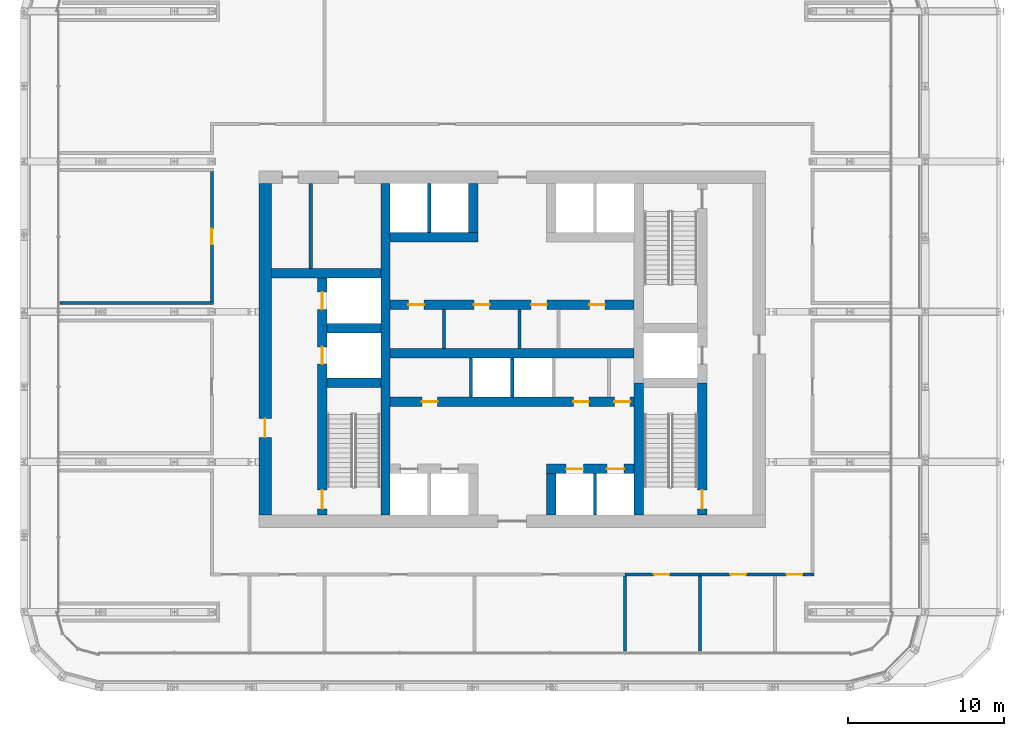
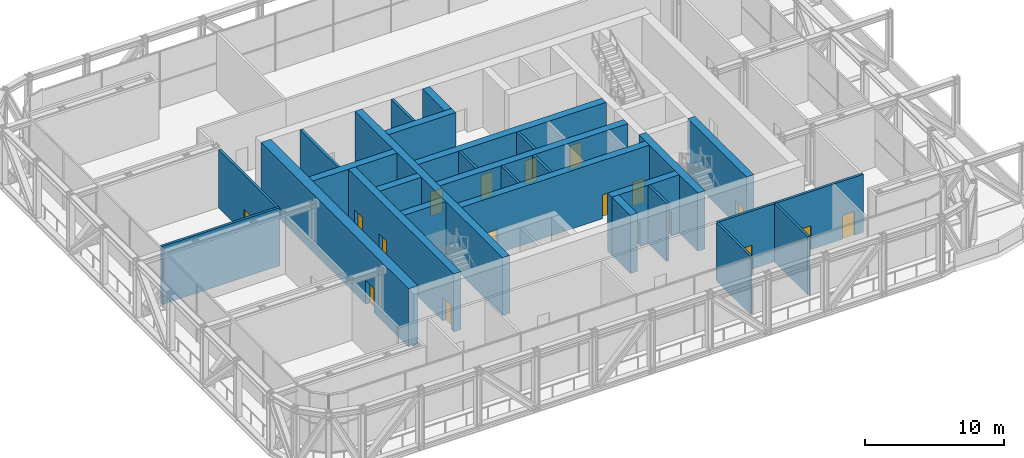
# One storey, part 17 of 25: 28 walls, 18 doors, 18 openings.
"""IFC4 building model written with IfcOpenShell, lengths in metres."""

import ifcopenshell
import ifcopenshell.guid

model = None  # the IFC model being written
_history = None  # IfcOwnerHistory: only IFC2X3 demands one
_inside = {}  # id of a spatial element -> (the spatial element, [elements in it])
_under = {}  # id of a project, library or spatial element -> (it, [spatial elements below it])
_declared = {}  # id of a project -> (the project, [libraries it declares])
_typed = {}  # id of a type object -> (the type object, [elements of that type])
_made_of = {}  # id of a material, layer set ... -> (it, [elements and type objects made of it])


def new_model(schema):
    """Start an empty IFC model of exactly this schema.

    Asked for "IFC4X3", IfcOpenShell would pick the latest addendum, in which some entities
    have other attributes; the version numbers below select the first issue.
    IFC2X3 requires an IfcOwnerHistory on every rooted entity: one is made here for all.
    """
    global model, _history
    if schema == "IFC4X3":
        model = ifcopenshell.file(schema_version=(4, 3, 0, 0))
    else:
        model = ifcopenshell.file(schema=schema)
    _inside.clear()
    _under.clear()
    _declared.clear()
    _typed.clear()
    _made_of.clear()
    _history = None
    if model.schema == "IFC2X3":
        org = make("IfcOrganization", Name="unknown")
        user = make(
            "IfcPersonAndOrganization",
            ThePerson=make("IfcPerson", FamilyName="unknown"),
            TheOrganization=org,
        )
        app = make(
            "IfcApplication",
            ApplicationDeveloper=org,
            Version="unknown",
            ApplicationFullName="unknown",
            ApplicationIdentifier="unknown",
        )
        _history = make(
            "IfcOwnerHistory",
            OwningUser=user,
            OwningApplication=app,
            ChangeAction="ADDED",
            CreationDate=0,
        )
    return model


def make(cls, **values):
    """One entity of the class cls with the attributes given. An attribute that is None is left unset."""
    return model.create_entity(
        cls, **{name: value for name, value in values.items() if value is not None}
    )


def rooted(cls, **values):
    """An entity with a GlobalId (a new one), such as an element, a storey or a relation."""
    return make(cls, GlobalId=ifcopenshell.guid.new(), OwnerHistory=_history, **values)


def si_unit(unit_type, name, prefix=None):
    """IfcSIUnit, for example si_unit("LENGTHUNIT", "METRE", prefix="MILLI")."""
    return make("IfcSIUnit", UnitType=unit_type, Prefix=prefix, Name=name)


def assignment(units):
    """IfcUnitAssignment: the units of a project."""
    return None if units is None else make("IfcUnitAssignment", Units=units)


def point(xyz):
    """IfcCartesianPoint."""
    return None if xyz is None else make("IfcCartesianPoint", Coordinates=xyz)


def direction(xyz):
    """IfcDirection."""
    return None if xyz is None else make("IfcDirection", DirectionRatios=xyz)


def frame(location, z_axis=None, x_axis=None):
    """IfcAxis2Placement3D, a coordinate frame: its origin and axes. An axis left out is left unset."""
    return make(
        "IfcAxis2Placement3D",
        Location=point(location),
        Axis=direction(z_axis),
        RefDirection=direction(x_axis),
    )


def frame_2d(location, x_axis=None):
    """IfcAxis2Placement2D, a coordinate frame in the plane: its origin and x axis."""
    return make(
        "IfcAxis2Placement2D", Location=point(location), RefDirection=direction(x_axis)
    )


def origin():
    """The frame at (0, 0, 0) with its axes left unset."""
    return frame((0.0, 0.0, 0.0))


def place(relative_to, where):
    """IfcLocalPlacement: puts the frame where relative to a parent placement (None: the world)."""
    return make(
        "IfcLocalPlacement", PlacementRelTo=relative_to, RelativePlacement=where
    )


def context(
    kind, dimensions, precision=None, world=None, true_north=None, identifier=None
):
    """IfcGeometricRepresentationContext, for example the 3D "Model" context."""
    return make(
        "IfcGeometricRepresentationContext",
        ContextIdentifier=identifier,
        ContextType=kind,
        CoordinateSpaceDimension=dimensions,
        Precision=precision,
        WorldCoordinateSystem=world,
        TrueNorth=true_north,
    )


def subcontext(parent, identifier, kind, view, scale=None):
    """IfcGeometricRepresentationSubContext, for example "Body" below "Model"."""
    return make(
        "IfcGeometricRepresentationSubContext",
        ContextIdentifier=identifier,
        ContextType=kind,
        ParentContext=parent,
        TargetScale=scale,
        TargetView=view,
    )


def project(units=None, contexts=None):
    """IfcProject with its units and contexts."""
    return rooted(
        "IfcProject",
        Name="project",
        RepresentationContexts=contexts,
        UnitsInContext=assignment(units),
    )


def spatial(cls, under=None, at=None, **own):
    """A site, building, storey or space (cls), placed at a placement, below another one or the project."""
    s = rooted(cls, ObjectPlacement=at, **own)
    if under is not None:
        _under.setdefault(under.id(), (under, []))[1].append(s)
    return s


def profile(cls, at=None, kind="AREA", **sizes):
    """A parametric profile (cls). Its sizes go by their IFC names, for example OverallWidth=200.0."""
    return make(cls, ProfileType=kind, Position=at, **sizes)


def rectangle(**sizes):
    """IfcRectangleProfileDef."""
    return profile("IfcRectangleProfileDef", **sizes)


def extrude(swept, where, along, depth):
    """IfcExtrudedAreaSolid: the profile swept, set in the frame where, extruded along a direction by depth."""
    return make(
        "IfcExtrudedAreaSolid",
        SweptArea=swept,
        Position=where,
        ExtrudedDirection=direction(along),
        Depth=depth,
    )


def shape(context_of_items, identifier, shape_type, items):
    """IfcShapeRepresentation: the items that make up one representation, for example the "Body"."""
    return make(
        "IfcShapeRepresentation",
        ContextOfItems=context_of_items,
        RepresentationIdentifier=identifier,
        RepresentationType=shape_type,
        Items=items,
    )


def material(Name=None, Category=None):
    """IfcMaterial."""
    return make("IfcMaterial", Name=Name, Category=Category)


def layer(
    of_material, thickness, ventilated=None, Name=None, Category=None, Priority=None
):
    """IfcMaterialLayer: one layer of a wall or slab, of a material (None: an air gap)."""
    return make(
        "IfcMaterialLayer",
        Material=of_material,
        LayerThickness=thickness,
        IsVentilated=ventilated,
        Name=Name,
        Category=Category,
        Priority=Priority,
    )


def layer_set(layers, Name=None):
    """IfcMaterialLayerSet."""
    return make("IfcMaterialLayerSet", MaterialLayers=layers, LayerSetName=Name)


def made_of(thing, what):
    """Note that an element or type object is made of a material, layer set ...; save() writes the relation."""
    if what is not None:
        _made_of.setdefault(what.id(), (what, []))[1].append(thing)
    return thing


def type_object(cls, material=None, **own):
    """A type object (cls), such as IfcWallType, which elements share."""
    return made_of(rooted(cls, **own), material)


def element(
    cls,
    number,
    at=None,
    inside=None,
    cuts=None,
    type_object=None,
    material=None,
    context=None,
    identifier="Body",
    shape_type=None,
    held_by="IfcProductDefinitionShape",
    body=None,
    shapes=None,
    **own,
):
    """One element of the class cls, such as IfcWall. Its Tag is "e" and its number.

    at: its placement. inside: the storey or other place that contains it. cuts: it is an
    opening in that element (IfcRelVoidsElement). A single representation is given by context,
    identifier, shape_type and body (its items); several are given by shapes. held_by: the class
    of the entity that holds the representations. save() writes the other relations.
    """
    e = rooted(cls, Tag="e%d" % number, ObjectPlacement=at, **own)
    if body is not None:
        shapes = [shape(context, identifier, shape_type, body)]
    if shapes is not None:
        e.Representation = make(held_by, Representations=shapes)
    if inside is not None:
        _inside.setdefault(inside.id(), (inside, []))[1].append(e)
    if cuts is not None:
        rooted(
            "IfcRelVoidsElement", RelatingBuildingElement=cuts, RelatedOpeningElement=e
        )
    if type_object is not None:
        _typed.setdefault(type_object.id(), (type_object, []))[1].append(e)
    return made_of(e, material)


def fill(opening, filler):
    """IfcRelFillsElement: the door or window that sits in an opening."""
    return rooted(
        "IfcRelFillsElement",
        RelatingOpeningElement=opening,
        RelatedBuildingElement=filler,
    )


def aggregate(whole, parts):
    """IfcRelAggregates: a whole, such as a stair, and the parts it consists of."""
    return rooted("IfcRelAggregates", RelatingObject=whole, RelatedObjects=parts)


def save(model, path):
    """Write the relations noted so far, then the file.

    IfcRelAggregates (storeys below a building ...), IfcRelContainedInSpatialStructure (elements
    in a storey), IfcRelDefinesByType, IfcRelAssociatesMaterial and IfcRelDeclares: one each for
    every whole, place, type object, material and project.
    """
    for whole, parts in _under.values():
        aggregate(whole, parts)
    for where, things in _inside.values():
        rooted(
            "IfcRelContainedInSpatialStructure",
            RelatedElements=things,
            RelatingStructure=where,
        )
    for kind, things in _typed.values():
        rooted("IfcRelDefinesByType", RelatedObjects=things, RelatingType=kind)
    for what, things in _made_of.values():
        rooted("IfcRelAssociatesMaterial", RelatedObjects=things, RelatingMaterial=what)
    for by, libraries in _declared.values():
        rooted("IfcRelDeclares", RelatingContext=by, RelatedDefinitions=libraries)
    model.write(path)


model = new_model("IFC4")

# Units and contexts
model_context = context("Model", 3, precision=1e-05, world=origin(), true_north=direction((0.0, 1.0)))
body_context = subcontext(model_context, "Body", "Model", "MODEL_VIEW")
ifc_project = project(units=[si_unit("LENGTHUNIT", "METRE"), si_unit("AREAUNIT", "SQUARE_METRE"), si_unit("VOLUMEUNIT", "CUBIC_METRE"), si_unit("PLANEANGLEUNIT", "RADIAN"), si_unit("MASSUNIT", "GRAM", prefix="KILO")], contexts=[model_context])

# Site, building, storey
site_placement = place(None, origin())
site = spatial("IfcSite", under=ifc_project, at=site_placement, CompositionType="ELEMENT")
building_placement = place(site_placement, origin())
building = spatial("IfcBuilding", under=site, at=building_placement, Name="Madar Terraces", CompositionType="ELEMENT")
storey_placement = place(building_placement, frame((0.0, 0.0, 113.699951171875)))
storey = spatial("IfcBuildingStorey", under=building, at=storey_placement, Name="L29", CompositionType="ELEMENT", Elevation=113.699951171875)

# Wall, openings, doors
ifc_material_1 = material(Name="Concrete C70/85", Category="concrete")
ifc_layer_1 = layer(ifc_material_1, 0.60009765625)
ifc_layer_set_1 = layer_set([ifc_layer_1], Name="Concrete C70/85 (CIW3 RC wall 600)")
wall_type_1 = type_object("IfcWallType", Name="CIW3 RC wall 600", PredefinedType="SHEAR", material=ifc_layer_set_1)
wall_1_placement = place(storey_placement, frame((19.050048828125, 15.800048828125, 0.0), z_axis=(0.0, 0.0, 1.0), x_axis=(0.0, 1.0, 0.0)))
wall_1 = element("IfcWall", 1, at=wall_1_placement, inside=storey, type_object=wall_type_1, Name="CORE SHAFT WALL", PredefinedType="SHEAR", context=body_context, shape_type="SweptSolid", body=[
    extrude(rectangle(XDim=15.14990234375, YDim=0.60009765625, at=frame_2d((7.574951171875, 0.0))), origin(), (0.0, 0.0, 1.0), 5.10009765625),
])
opening_1_placement = place(wall_1_placement, frame((9.64990234375, 0.0, 0.0)))
opening_1 = element("IfcOpeningElement", 2, at=opening_1_placement, cuts=wall_1, Name="Opening LD", PredefinedType="OPENING", context=body_context, shape_type="SweptSolid", body=[
    extrude(rectangle(XDim=1.10009765625, YDim=2.10009765625, at=frame_2d((0.550048828125, 1.050048828125))), frame((0.0, 0.31005859375, 0.0), z_axis=(0.0, -1.0, 0.0), x_axis=(1.0, 0.0, 0.0)), (0.0, 0.0, 1.0), 0.6201171875),
])
opening_2_placement = place(wall_1_placement, frame((13.14990234375, 0.0, 0.0)))
opening_2 = element("IfcOpeningElement", 3, at=opening_2_placement, cuts=wall_1, Name="Opening LD", PredefinedType="OPENING", context=body_context, shape_type="SweptSolid", body=[
    extrude(rectangle(XDim=1.10009765625, YDim=2.10009765625, at=frame_2d((0.550048828125, 1.050048828125))), frame((0.0, 0.31005859375, 0.0), z_axis=(0.0, -1.0, 0.0), x_axis=(1.0, 0.0, 0.0)), (0.0, 0.0, 1.0), 0.6201171875),
])
opening_3_placement = place(wall_1_placement, frame((0.39990234375, 0.0, 0.0)))
opening_3 = element("IfcOpeningElement", 4, at=opening_3_placement, cuts=wall_1, Name="Opening SD1", PredefinedType="OPENING", context=body_context, shape_type="SweptSolid", body=[
    extrude(rectangle(XDim=1.199951171875, YDim=2.10009765625, at=frame_2d((0.60009765625, 1.050048828125))), frame((0.0, 0.31005859375, 0.0), z_axis=(0.0, -1.0, 0.0), x_axis=(1.0, 0.0, 0.0)), (0.0, 0.0, 1.0), 0.6201171875),
])
ifc_material_2 = material(Name="Stainless steel panel", Category="steel")
door_type_1 = type_object("IfcDoorType", Name="Lift landing door 1100 x 2100", OperationType="DOUBLE_DOOR_SLIDING", PredefinedType="DOOR", material=ifc_material_2)
door_1_placement = place(opening_1_placement, origin())
door_1 = element("IfcDoor", 5, at=door_1_placement, inside=storey, type_object=door_type_1, Name="LIFT LANDING DOOR", OperationType="DOUBLE_DOOR_SLIDING", OverallHeight=2.10009765625, OverallWidth=1.10009765625, PredefinedType="DOOR", context=body_context, shape_type="SweptSolid", body=[
    extrude(rectangle(XDim=1.10009765625, YDim=2.10009765625, at=frame_2d((0.550048828125, 1.050048828125))), frame((0.0, 0.02490234375, 0.0), z_axis=(0.0, -1.0, 0.0), x_axis=(1.0, 0.0, 0.0)), (0.0, 0.0, 1.0), 0.050048828125),
])
fill(opening_1, door_1)
door_2_placement = place(opening_2_placement, origin())
door_2 = element("IfcDoor", 6, at=door_2_placement, inside=storey, type_object=door_type_1, Name="LIFT LANDING DOOR", OperationType="DOUBLE_DOOR_SLIDING", OverallHeight=2.10009765625, OverallWidth=1.10009765625, PredefinedType="DOOR", context=body_context, shape_type="SweptSolid", body=[
    extrude(rectangle(XDim=1.10009765625, YDim=2.10009765625, at=frame_2d((0.550048828125, 1.050048828125))), frame((0.0, 0.02490234375, 0.0), z_axis=(0.0, -1.0, 0.0), x_axis=(1.0, 0.0, 0.0)), (0.0, 0.0, 1.0), 0.050048828125),
])
fill(opening_2, door_2)
ifc_material_3 = material(Name="Steel door leaf", Category="steel")
door_type_2 = type_object("IfcDoorType", Name="Stair door 1200 x 2100", OperationType="NOTDEFINED", PredefinedType="DOOR", material=ifc_material_3)
door_3_placement = place(opening_3_placement, frame((1.199951171875, 0.0, 0.0), z_axis=(0.0, 0.0, 1.0), x_axis=(-1.0, 0.0, 0.0)))
door_3 = element("IfcDoor", 7, at=door_3_placement, inside=storey, type_object=door_type_2, Name="STAIR DOOR", OperationType="SINGLE_SWING_LEFT", OverallHeight=2.10009765625, OverallWidth=1.199951171875, PredefinedType="DOOR", context=body_context, shape_type="SweptSolid", body=[
    extrude(rectangle(XDim=1.199951171875, YDim=2.10009765625, at=frame_2d((0.60009765625, 1.050048828125))), frame((0.0, 0.02490234375, 0.0), z_axis=(0.0, -1.0, 0.0), x_axis=(1.0, 0.0, 0.0)), (0.0, 0.0, 1.0), 0.050048828125),
])
fill(opening_3, door_3)

# Walls
wall_2_placement = place(storey_placement, frame((23.10009765625, 15.800048828125, 0.0), z_axis=(0.0, 0.0, 1.0), x_axis=(0.0, 1.0, 0.0)))
element("IfcWall", 8, at=wall_2_placement, inside=storey, type_object=wall_type_1, Name="CORE SHAFT WALL", PredefinedType="SHEAR", context=body_context, shape_type="SweptSolid", body=[
    extrude(rectangle(XDim=21.199951171875, YDim=0.60009765625, at=frame_2d((10.60009765625, 0.0))), origin(), (0.0, 0.0, 1.0), 5.10009765625),
])
wall_3_placement = place(storey_placement, frame((39.300048828125, 15.800048828125, 0.0), z_axis=(0.0, 0.0, 1.0), x_axis=(0.0, 1.0, 0.0)))
element("IfcWall", 9, at=wall_3_placement, inside=storey, type_object=wall_type_1, Name="CORE SHAFT WALL", PredefinedType="SHEAR", context=body_context, shape_type="SweptSolid", body=[
    extrude(rectangle(XDim=8.449951171875, YDim=0.60009765625, at=frame_2d((4.22509765625, 0.0))), origin(), (0.0, 0.0, 1.0), 5.10009765625),
])

# Wall, opening, door
wall_4_placement = place(storey_placement, frame((43.35009765625, 15.800048828125, 0.0), z_axis=(0.0, 0.0, 1.0), x_axis=(0.0, 1.0, 0.0)))
wall_4 = element("IfcWall", 10, at=wall_4_placement, inside=storey, type_object=wall_type_1, Name="CORE SHAFT WALL", PredefinedType="SHEAR", context=body_context, shape_type="SweptSolid", body=[
    extrude(rectangle(XDim=8.449951171875, YDim=0.60009765625, at=frame_2d((4.22509765625, 0.0))), origin(), (0.0, 0.0, 1.0), 5.10009765625),
])
opening_4_placement = place(wall_4_placement, frame((0.39990234375, 0.0, 0.0)))
opening_4 = element("IfcOpeningElement", 11, at=opening_4_placement, cuts=wall_4, Name="Opening SD1", PredefinedType="OPENING", context=body_context, shape_type="SweptSolid", body=[
    extrude(rectangle(XDim=1.199951171875, YDim=2.10009765625, at=frame_2d((0.60009765625, 1.050048828125))), frame((0.0, 0.31005859375, 0.0), z_axis=(0.0, -1.0, 0.0), x_axis=(1.0, 0.0, 0.0)), (0.0, 0.0, 1.0), 0.6201171875),
])
door_4_placement = place(opening_4_placement, origin())
door_4 = element("IfcDoor", 12, at=door_4_placement, inside=storey, type_object=door_type_2, Name="STAIR DOOR", OperationType="SINGLE_SWING_RIGHT", OverallHeight=2.10009765625, OverallWidth=1.199951171875, PredefinedType="DOOR", context=body_context, shape_type="SweptSolid", body=[
    extrude(rectangle(XDim=1.199951171875, YDim=2.10009765625, at=frame_2d((0.60009765625, 1.050048828125))), frame((0.0, 0.02490234375, 0.0), z_axis=(0.0, -1.0, 0.0), x_axis=(1.0, 0.0, 0.0)), (0.0, 0.0, 1.0), 0.050048828125),
])
fill(opening_4, door_4)

# Walls
for number, where, z_axis, x_axis, name in (
    (13, (19.35009765625, 24.25, 0.0), (0.0, 0.0, 1.0), (1.0, 0.0, 0.0), "CORE SHAFT WALL"),
    (14, (19.35009765625, 27.75, 0.0), (0.0, 0.0, 1.0), (1.0, 0.0, 0.0), "CORE SHAFT WALL"),
):
    element("IfcWall", number, at=place(storey_placement, frame(where, z_axis=z_axis, x_axis=x_axis)), inside=storey, type_object=wall_type_1, Name=name, PredefinedType="SHEAR", context=body_context, shape_type="SweptSolid", body=[
        extrude(rectangle(XDim=3.449951171875, YDim=0.60009765625, at=frame_2d((1.72509765625, 0.0))), origin(), (0.0, 0.0, 1.0), 5.10009765625),
    ])
wall_5_placement = place(storey_placement, frame((15.800048828125, 31.25, 0.0), z_axis=(0.0, 0.0, 1.0), x_axis=(1.0, 0.0, 0.0)))
element("IfcWall", 15, at=wall_5_placement, inside=storey, type_object=wall_type_1, Name="CORE SHAFT WALL", PredefinedType="SHEAR", context=body_context, shape_type="SweptSolid", body=[
    extrude(rectangle(XDim=7.0, YDim=0.60009765625, at=frame_2d((3.5, 0.0))), origin(), (0.0, 0.0, 1.0), 5.10009765625),
])

# Wall, openings, doors
wall_6_placement = place(storey_placement, frame((33.39990234375, 18.75, 0.0), z_axis=(0.0, 0.0, 1.0), x_axis=(1.0, 0.0, 0.0)))
wall_6 = element("IfcWall", 16, at=wall_6_placement, inside=storey, type_object=wall_type_1, Name="CORE SHAFT WALL", PredefinedType="SHEAR", context=body_context, shape_type="SweptSolid", body=[
    extrude(rectangle(XDim=5.60009765625, YDim=0.60009765625, at=frame_2d((2.800048828125, 0.0))), origin(), (0.0, 0.0, 1.0), 5.10009765625),
])
opening_5_placement = place(wall_6_placement, frame((1.25, 0.0, 0.0)))
opening_5 = element("IfcOpeningElement", 17, at=opening_5_placement, cuts=wall_6, Name="Opening LD", PredefinedType="OPENING", context=body_context, shape_type="SweptSolid", body=[
    extrude(rectangle(XDim=1.10009765625, YDim=2.10009765625, at=frame_2d((0.550048828125, 1.050048828125))), frame((0.0, 0.31005859375, 0.0), z_axis=(0.0, -1.0, 0.0), x_axis=(1.0, 0.0, 0.0)), (0.0, 0.0, 1.0), 0.6201171875),
])
opening_6_placement = place(wall_6_placement, frame((3.85009765625, 0.0, 0.0)))
opening_6 = element("IfcOpeningElement", 18, at=opening_6_placement, cuts=wall_6, Name="Opening LD", PredefinedType="OPENING", context=body_context, shape_type="SweptSolid", body=[
    extrude(rectangle(XDim=1.10009765625, YDim=2.10009765625, at=frame_2d((0.550048828125, 1.050048828125))), frame((0.0, 0.31005859375, 0.0), z_axis=(0.0, -1.0, 0.0), x_axis=(1.0, 0.0, 0.0)), (0.0, 0.0, 1.0), 0.6201171875),
])
door_5_placement = place(opening_5_placement, origin())
door_5 = element("IfcDoor", 19, at=door_5_placement, inside=storey, type_object=door_type_1, Name="LIFT LANDING DOOR", OperationType="DOUBLE_DOOR_SLIDING", OverallHeight=2.10009765625, OverallWidth=1.10009765625, PredefinedType="DOOR", context=body_context, shape_type="SweptSolid", body=[
    extrude(rectangle(XDim=1.10009765625, YDim=2.10009765625, at=frame_2d((0.550048828125, 1.050048828125))), frame((0.0, 0.02490234375, 0.0), z_axis=(0.0, -1.0, 0.0), x_axis=(1.0, 0.0, 0.0)), (0.0, 0.0, 1.0), 0.050048828125),
])
fill(opening_5, door_5)
door_6_placement = place(opening_6_placement, origin())
door_6 = element("IfcDoor", 20, at=door_6_placement, inside=storey, type_object=door_type_1, Name="LIFT LANDING DOOR", OperationType="DOUBLE_DOOR_SLIDING", OverallHeight=2.10009765625, OverallWidth=1.10009765625, PredefinedType="DOOR", context=body_context, shape_type="SweptSolid", body=[
    extrude(rectangle(XDim=1.10009765625, YDim=2.10009765625, at=frame_2d((0.550048828125, 1.050048828125))), frame((0.0, 0.02490234375, 0.0), z_axis=(0.0, -1.0, 0.0), x_axis=(1.0, 0.0, 0.0)), (0.0, 0.0, 1.0), 0.050048828125),
])
fill(opening_6, door_6)

wall_7_placement = place(storey_placement, frame((23.39990234375, 23.050048828125, 0.0), z_axis=(0.0, 0.0, 1.0), x_axis=(1.0, 0.0, 0.0)))
wall_7 = element("IfcWall", 21, at=wall_7_placement, inside=storey, type_object=wall_type_1, Name="CORE SHAFT WALL", PredefinedType="SHEAR", context=body_context, shape_type="SweptSolid", body=[
    extrude(rectangle(XDim=15.60009765625, YDim=0.60009765625, at=frame_2d((7.800048828125, 0.0))), origin(), (0.0, 0.0, 1.0), 5.10009765625),
])
opening_7_placement = place(wall_7_placement, frame((2.033447265625, 0.0, 0.0)))
opening_7 = element("IfcOpeningElement", 22, at=opening_7_placement, cuts=wall_7, Name="Opening KD2", PredefinedType="OPENING", context=body_context, shape_type="SweptSolid", body=[
    extrude(rectangle(XDim=1.0, YDim=2.10009765625, at=frame_2d((0.5, 1.050048828125))), frame((0.0, 0.31005859375, 0.0), z_axis=(0.0, -1.0, 0.0), x_axis=(1.0, 0.0, 0.0)), (0.0, 0.0, 1.0), 0.6201171875),
])
opening_8_placement = place(wall_7_placement, frame((11.7060546875, 0.0, 0.0)))
opening_8 = element("IfcOpeningElement", 23, at=opening_8_placement, cuts=wall_7, Name="Opening KD2", PredefinedType="OPENING", context=body_context, shape_type="SweptSolid", body=[
    extrude(rectangle(XDim=1.0, YDim=2.10009765625, at=frame_2d((0.5, 1.050048828125))), frame((0.0, 0.31005859375, 0.0), z_axis=(0.0, -1.0, 0.0), x_axis=(1.0, 0.0, 0.0)), (0.0, 0.0, 1.0), 0.6201171875),
])
opening_9_placement = place(wall_7_placement, frame((14.33935546875, 0.0, 0.0)))
opening_9 = element("IfcOpeningElement", 24, at=opening_9_placement, cuts=wall_7, Name="Opening KD2", PredefinedType="OPENING", context=body_context, shape_type="SweptSolid", body=[
    extrude(rectangle(XDim=1.0, YDim=2.10009765625, at=frame_2d((0.5, 1.050048828125))), frame((0.0, 0.31005859375, 0.0), z_axis=(0.0, -1.0, 0.0), x_axis=(1.0, 0.0, 0.0)), (0.0, 0.0, 1.0), 0.6201171875),
])
ifc_material_4 = material(Name="Steel door leaf", Category="steel")
door_type_3 = type_object("IfcDoorType", Name="Service room door 1000 x 2100", OperationType="NOTDEFINED", PredefinedType="DOOR", material=ifc_material_4)
door_7_placement = place(opening_7_placement, frame((1.0, 0.0, 0.0), z_axis=(0.0, 0.0, 1.0), x_axis=(-1.0, 0.0, 0.0)))
door_7 = element("IfcDoor", 25, at=door_7_placement, inside=storey, type_object=door_type_3, Name="SERVICE ROOM DOOR", OperationType="SINGLE_SWING_RIGHT", OverallHeight=2.10009765625, OverallWidth=1.0, PredefinedType="DOOR", context=body_context, shape_type="SweptSolid", body=[
    extrude(rectangle(XDim=1.0, YDim=2.10009765625, at=frame_2d((0.5, 1.050048828125))), frame((0.0, 0.02490234375, 0.0), z_axis=(0.0, -1.0, 0.0), x_axis=(1.0, 0.0, 0.0)), (0.0, 0.0, 1.0), 0.050048828125),
])
fill(opening_7, door_7)
door_8_placement = place(opening_8_placement, frame((1.0, 0.0, 0.0), z_axis=(0.0, 0.0, 1.0), x_axis=(-1.0, 0.0, 0.0)))
door_8 = element("IfcDoor", 26, at=door_8_placement, inside=storey, type_object=door_type_3, Name="SERVICE ROOM DOOR", OperationType="SINGLE_SWING_LEFT", OverallHeight=2.10009765625, OverallWidth=1.0, PredefinedType="DOOR", context=body_context, shape_type="SweptSolid", body=[
    extrude(rectangle(XDim=1.0, YDim=2.10009765625, at=frame_2d((0.5, 1.050048828125))), frame((0.0, 0.02490234375, 0.0), z_axis=(0.0, -1.0, 0.0), x_axis=(1.0, 0.0, 0.0)), (0.0, 0.0, 1.0), 0.050048828125),
])
fill(opening_8, door_8)
door_9_placement = place(opening_9_placement, frame((1.0, 0.0, 0.0), z_axis=(0.0, 0.0, 1.0), x_axis=(-1.0, 0.0, 0.0)))
door_9 = element("IfcDoor", 27, at=door_9_placement, inside=storey, type_object=door_type_3, Name="SERVICE ROOM DOOR", OperationType="SINGLE_SWING_RIGHT", OverallHeight=2.10009765625, OverallWidth=1.0, PredefinedType="DOOR", context=body_context, shape_type="SweptSolid", body=[
    extrude(rectangle(XDim=1.0, YDim=2.10009765625, at=frame_2d((0.5, 1.050048828125))), frame((0.0, 0.02490234375, 0.0), z_axis=(0.0, -1.0, 0.0), x_axis=(1.0, 0.0, 0.0)), (0.0, 0.0, 1.0), 0.050048828125),
])
fill(opening_9, door_9)

# Wall
wall_8_placement = place(storey_placement, frame((23.39990234375, 26.14990234375, 0.0), z_axis=(0.0, 0.0, 1.0), x_axis=(1.0, 0.0, 0.0)))
element("IfcWall", 28, at=wall_8_placement, inside=storey, type_object=wall_type_1, Name="CORE SHAFT WALL", PredefinedType="SHEAR", context=body_context, shape_type="SweptSolid", body=[
    extrude(rectangle(XDim=15.60009765625, YDim=0.60009765625, at=frame_2d((7.800048828125, 0.0))), origin(), (0.0, 0.0, 1.0), 5.10009765625),
])

# Wall, openings, doors
wall_9_placement = place(storey_placement, frame((23.39990234375, 29.25, 0.0), z_axis=(0.0, 0.0, 1.0), x_axis=(1.0, 0.0, 0.0)))
wall_9 = element("IfcWall", 29, at=wall_9_placement, inside=storey, type_object=wall_type_1, Name="CORE SHAFT WALL", PredefinedType="SHEAR", context=body_context, shape_type="SweptSolid", body=[
    extrude(rectangle(XDim=15.60009765625, YDim=0.60009765625, at=frame_2d((7.800048828125, 0.0))), origin(), (0.0, 0.0, 1.0), 5.10009765625),
])
opening_10_placement = place(wall_9_placement, frame((1.166015625, 0.0, 0.0)))
opening_10 = element("IfcOpeningElement", 30, at=opening_10_placement, cuts=wall_9, Name="Opening KD2", PredefinedType="OPENING", context=body_context, shape_type="SweptSolid", body=[
    extrude(rectangle(XDim=1.0, YDim=2.10009765625, at=frame_2d((0.5, 1.050048828125))), frame((0.0, 0.31005859375, 0.0), z_axis=(0.0, -1.0, 0.0), x_axis=(1.0, 0.0, 0.0)), (0.0, 0.0, 1.0), 0.6201171875),
])
opening_11_placement = place(wall_9_placement, frame((5.35009765625, 0.0, 0.0)))
opening_11 = element("IfcOpeningElement", 31, at=opening_11_placement, cuts=wall_9, Name="Opening KD2", PredefinedType="OPENING", context=body_context, shape_type="SweptSolid", body=[
    extrude(rectangle(XDim=1.0, YDim=2.10009765625, at=frame_2d((0.5, 1.050048828125))), frame((0.0, 0.31005859375, 0.0), z_axis=(0.0, -1.0, 0.0), x_axis=(1.0, 0.0, 0.0)), (0.0, 0.0, 1.0), 0.6201171875),
])
opening_12_placement = place(wall_9_placement, frame((9.01611328125, 0.0, 0.0)))
opening_12 = element("IfcOpeningElement", 32, at=opening_12_placement, cuts=wall_9, Name="Opening KD2", PredefinedType="OPENING", context=body_context, shape_type="SweptSolid", body=[
    extrude(rectangle(XDim=1.0, YDim=2.10009765625, at=frame_2d((0.5, 1.050048828125))), frame((0.0, 0.31005859375, 0.0), z_axis=(0.0, -1.0, 0.0), x_axis=(1.0, 0.0, 0.0)), (0.0, 0.0, 1.0), 0.6201171875),
])
opening_13_placement = place(wall_9_placement, frame((12.73193359375, 0.0, 0.0)))
opening_13 = element("IfcOpeningElement", 33, at=opening_13_placement, cuts=wall_9, Name="Opening KD2", PredefinedType="OPENING", context=body_context, shape_type="SweptSolid", body=[
    extrude(rectangle(XDim=1.0, YDim=2.10009765625, at=frame_2d((0.5, 1.050048828125))), frame((0.0, 0.31005859375, 0.0), z_axis=(0.0, -1.0, 0.0), x_axis=(1.0, 0.0, 0.0)), (0.0, 0.0, 1.0), 0.6201171875),
])
door_10_placement = place(opening_10_placement, origin())
door_10 = element("IfcDoor", 34, at=door_10_placement, inside=storey, type_object=door_type_3, Name="SERVICE ROOM DOOR", OperationType="SINGLE_SWING_LEFT", OverallHeight=2.10009765625, OverallWidth=1.0, PredefinedType="DOOR", context=body_context, shape_type="SweptSolid", body=[
    extrude(rectangle(XDim=1.0, YDim=2.10009765625, at=frame_2d((0.5, 1.050048828125))), frame((0.0, 0.02490234375, 0.0), z_axis=(0.0, -1.0, 0.0), x_axis=(1.0, 0.0, 0.0)), (0.0, 0.0, 1.0), 0.050048828125),
])
fill(opening_10, door_10)
door_11_placement = place(opening_11_placement, origin())
door_11 = element("IfcDoor", 35, at=door_11_placement, inside=storey, type_object=door_type_3, Name="SERVICE ROOM DOOR", OperationType="SINGLE_SWING_RIGHT", OverallHeight=2.10009765625, OverallWidth=1.0, PredefinedType="DOOR", context=body_context, shape_type="SweptSolid", body=[
    extrude(rectangle(XDim=1.0, YDim=2.10009765625, at=frame_2d((0.5, 1.050048828125))), frame((0.0, 0.02490234375, 0.0), z_axis=(0.0, -1.0, 0.0), x_axis=(1.0, 0.0, 0.0)), (0.0, 0.0, 1.0), 0.050048828125),
])
fill(opening_11, door_11)
door_12_placement = place(opening_12_placement, origin())
door_12 = element("IfcDoor", 36, at=door_12_placement, inside=storey, type_object=door_type_3, Name="SERVICE ROOM DOOR", OperationType="SINGLE_SWING_LEFT", OverallHeight=2.10009765625, OverallWidth=1.0, PredefinedType="DOOR", context=body_context, shape_type="SweptSolid", body=[
    extrude(rectangle(XDim=1.0, YDim=2.10009765625, at=frame_2d((0.5, 1.050048828125))), frame((0.0, 0.02490234375, 0.0), z_axis=(0.0, -1.0, 0.0), x_axis=(1.0, 0.0, 0.0)), (0.0, 0.0, 1.0), 0.050048828125),
])
fill(opening_12, door_12)
door_13_placement = place(opening_13_placement, origin())
door_13 = element("IfcDoor", 37, at=door_13_placement, inside=storey, type_object=door_type_3, Name="SERVICE ROOM DOOR", OperationType="SINGLE_SWING_RIGHT", OverallHeight=2.10009765625, OverallWidth=1.0, PredefinedType="DOOR", context=body_context, shape_type="SweptSolid", body=[
    extrude(rectangle(XDim=1.0, YDim=2.10009765625, at=frame_2d((0.5, 1.050048828125))), frame((0.0, 0.02490234375, 0.0), z_axis=(0.0, -1.0, 0.0), x_axis=(1.0, 0.0, 0.0)), (0.0, 0.0, 1.0), 0.050048828125),
])
fill(opening_13, door_13)

# Walls
wall_10_placement = place(storey_placement, frame((23.39990234375, 33.550048828125, 0.0), z_axis=(0.0, 0.0, 1.0), x_axis=(1.0, 0.0, 0.0)))
element("IfcWall", 38, at=wall_10_placement, inside=storey, type_object=wall_type_1, Name="CORE SHAFT WALL", PredefinedType="SHEAR", context=body_context, shape_type="SweptSolid", body=[
    extrude(rectangle(XDim=5.60009765625, YDim=0.60009765625, at=frame_2d((2.800048828125, 0.0))), origin(), (0.0, 0.0, 1.0), 5.10009765625),
])
wall_11_placement = place(storey_placement, frame((33.699951171875, 15.800048828125, 0.0), z_axis=(0.0, 0.0, 1.0), x_axis=(0.0, 1.0, 0.0)))
element("IfcWall", 39, at=wall_11_placement, inside=storey, type_object=wall_type_1, Name="CORE SHAFT WALL", PredefinedType="SHEAR", context=body_context, shape_type="SweptSolid", body=[
    extrude(rectangle(XDim=2.64990234375, YDim=0.60009765625, at=frame_2d((1.324951171875, 0.0))), origin(), (0.0, 0.0, 1.0), 5.10009765625),
])
wall_12_placement = place(storey_placement, frame((28.699951171875, 33.85009765625, 0.0), z_axis=(0.0, 0.0, 1.0), x_axis=(0.0, 1.0, 0.0)))
element("IfcWall", 40, at=wall_12_placement, inside=storey, type_object=wall_type_1, Name="CORE SHAFT WALL", PredefinedType="SHEAR", context=body_context, shape_type="SweptSolid", body=[
    extrude(rectangle(XDim=3.14990234375, YDim=0.60009765625, at=frame_2d((1.574951171875, 0.0))), origin(), (0.0, 0.0, 1.0), 5.10009765625),
])

# Wall, opening, door
ifc_material_5 = material(Name="Concrete C70/85", Category="concrete")
ifc_layer_2 = layer(ifc_material_5, 0.800048828125)
ifc_layer_set_2 = layer_set([ifc_layer_2], Name="Concrete C70/85 (CRW3 RC wall 800)")
wall_type_2 = type_object("IfcWallType", Name="CRW3 RC wall 800", PredefinedType="SHEAR", material=ifc_layer_set_2)
wall_13_placement = place(storey_placement, frame((15.39990234375, 15.800048828125, 0.0), z_axis=(0.0, 0.0, 1.0), x_axis=(0.0, 1.0, 0.0)))
wall_13 = element("IfcWall", 41, at=wall_13_placement, inside=storey, type_object=wall_type_2, Name="CORE OUTER WALL", PredefinedType="SHEAR", context=body_context, shape_type="SweptSolid", body=[
    extrude(rectangle(XDim=21.199951171875, YDim=0.800048828125, at=frame_2d((10.60009765625, 0.0))), origin(), (0.0, 0.0, 1.0), 5.10009765625),
])
opening_14_placement = place(wall_13_placement, frame((4.9599609375, 0.0, 0.0)))
opening_14 = element("IfcOpeningElement", 42, at=opening_14_placement, cuts=wall_13, Name="Opening SD1", PredefinedType="OPENING", context=body_context, shape_type="SweptSolid", body=[
    extrude(rectangle(XDim=1.199951171875, YDim=2.10009765625, at=frame_2d((0.60009765625, 1.050048828125))), frame((0.0, 0.409912109375, 0.0), z_axis=(0.0, -1.0, 0.0), x_axis=(1.0, 0.0, 0.0)), (0.0, 0.0, 1.0), 0.820068359375),
])
door_14_placement = place(opening_14_placement, frame((1.199951171875, 0.0, 0.0), z_axis=(0.0, 0.0, 1.0), x_axis=(-1.0, 0.0, 0.0)))
door_14 = element("IfcDoor", 43, at=door_14_placement, inside=storey, type_object=door_type_2, Name="STAIR DOOR", OperationType="SINGLE_SWING_RIGHT", OverallHeight=2.10009765625, OverallWidth=1.199951171875, PredefinedType="DOOR", context=body_context, shape_type="SweptSolid", body=[
    extrude(rectangle(XDim=1.199951171875, YDim=2.10009765625, at=frame_2d((0.60009765625, 1.050048828125))), frame((0.0, 0.02490234375, 0.0), z_axis=(0.0, -1.0, 0.0), x_axis=(1.0, 0.0, 0.0)), (0.0, 0.0, 1.0), 0.050048828125),
])
fill(opening_14, door_14)

# Walls
ifc_material_6 = material(Name="Masonry blockwork", Category="masonry")
ifc_layer_3 = layer(ifc_material_6, 0.199951171875)
ifc_layer_set_3 = layer_set([ifc_layer_3], Name="Core partition 200 blockwork")
wall_type_3 = type_object("IfcWallType", Name="Core partition 200 blockwork", PredefinedType="PARTITIONING", material=ifc_layer_set_3)
wall_14_placement = place(storey_placement, frame((18.320068359375, 31.550048828125, 0.0), z_axis=(0.0, 0.0, 1.0), x_axis=(0.0, 1.0, 0.0)))
element("IfcWall", 44, at=wall_14_placement, inside=storey, type_object=wall_type_3, Name="SERVICE ROOM PARTITION", PredefinedType="PARTITIONING", context=body_context, shape_type="SweptSolid", body=[
    extrude(rectangle(XDim=5.449951171875, YDim=0.199951171875, at=frame_2d((2.72509765625, 0.0))), origin(), (0.0, 0.0, 1.0), 5.10009765625),
])
for number, where, z_axis, x_axis, name in (
    (45, (26.83203125, 26.449951171875, 0.0), (0.0, 0.0, 1.0), (0.0, 1.0, 0.0), "SERVICE ROOM PARTITION"),
    (46, (31.66796875, 26.449951171875, 0.0), (0.0, 0.0, 1.0), (0.0, 1.0, 0.0), "SERVICE ROOM PARTITION"),
):
    element("IfcWall", number, at=place(storey_placement, frame(where, z_axis=z_axis, x_axis=x_axis)), inside=storey, type_object=wall_type_3, Name=name, PredefinedType="PARTITIONING", context=body_context, shape_type="SweptSolid", body=[
        extrude(rectangle(XDim=2.5, YDim=0.199951171875, at=frame_2d((1.25, 0.0))), origin(), (0.0, 0.0, 1.0), 5.10009765625),
    ])
ifc_material_7 = material(Name="Concrete C40/50", Category="concrete")
ifc_layer_4 = layer(ifc_material_7, 0.199951171875)
ifc_layer_set_4 = layer_set([ifc_layer_4], Name="Core shaft dividing wall 200 C40/50")
wall_type_4 = type_object("IfcWallType", Name="Core shaft dividing wall 200 C40/50", PredefinedType="SOLIDWALL", material=ifc_layer_set_4)
for number, where, z_axis, x_axis, name in (
    (47, (28.566650390625, 23.35009765625, 0.0), (0.0, 0.0, 1.0), (0.0, 1.0, 0.0), "SHAFT DIVIDING WALL"),
    (48, (31.199951171875, 23.35009765625, 0.0), (0.0, 0.0, 1.0), (0.0, 1.0, 0.0), "SHAFT DIVIDING WALL"),
):
    element("IfcWall", number, at=place(storey_placement, frame(where, z_axis=z_axis, x_axis=x_axis)), inside=storey, type_object=wall_type_4, Name=name, PredefinedType="SOLIDWALL", context=body_context, shape_type="SweptSolid", body=[
        extrude(rectangle(XDim=2.5, YDim=0.199951171875, at=frame_2d((1.25, 0.0))), origin(), (0.0, 0.0, 1.0), 5.10009765625),
    ])
wall_15_placement = place(storey_placement, frame((25.89990234375, 33.85009765625, 0.0), z_axis=(0.0, 0.0, 1.0), x_axis=(0.0, 1.0, 0.0)))
element("IfcWall", 49, at=wall_15_placement, inside=storey, type_object=wall_type_4, Name="SHAFT DIVIDING WALL", PredefinedType="SOLIDWALL", context=body_context, shape_type="SweptSolid", body=[
    extrude(rectangle(XDim=3.14990234375, YDim=0.199951171875, at=frame_2d((1.574951171875, 0.0))), origin(), (0.0, 0.0, 1.0), 5.10009765625),
])
wall_16_placement = place(storey_placement, frame((36.5, 15.800048828125, 0.0), z_axis=(0.0, 0.0, 1.0), x_axis=(0.0, 1.0, 0.0)))
element("IfcWall", 50, at=wall_16_placement, inside=storey, type_object=wall_type_4, Name="SHAFT DIVIDING WALL", PredefinedType="SOLIDWALL", context=body_context, shape_type="SweptSolid", body=[
    extrude(rectangle(XDim=2.64990234375, YDim=0.199951171875, at=frame_2d((1.324951171875, 0.0))), origin(), (0.0, 0.0, 1.0), 5.10009765625),
])

# Wall, openings, doors
ifc_material_8 = material(Name="Blockwork", Category="masonry")
ifc_layer_5 = layer(ifc_material_8, 0.199951171875)
ifc_layer_set_5 = layer_set([ifc_layer_5], Name="Partition 200 EI 120")
wall_type_5 = type_object("IfcWallType", Name="Partition 200 EI 120", PredefinedType="PARTITIONING", material=ifc_layer_set_5)
wall_17_placement = place(storey_placement, frame((50.5, 12.0, 0.0), z_axis=(0.0, 0.0, 1.0), x_axis=(-1.0, 0.0, 0.0)))
wall_17 = element("IfcWall", 51, at=wall_17_placement, inside=storey, type_object=wall_type_5, Name="Wall COMMS PLANT ROOM + SPRINKLER TANK ROOM", PredefinedType="PARTITIONING", context=body_context, shape_type="SweptSolid", body=[
    extrude(rectangle(XDim=7.300048828125, YDim=0.199951171875, at=frame_2d((3.64990234375, 0.0))), origin(), (0.0, 0.0, 1.0), 5.10009765625),
])
opening_15_placement = place(wall_17_placement, frame((4.35009765625, 0.0, 0.0)))
opening_15 = element("IfcOpeningElement", 52, at=opening_15_placement, cuts=wall_17, Name="Opening D33", PredefinedType="OPENING", context=body_context, shape_type="SweptSolid", body=[
    extrude(rectangle(XDim=1.0, YDim=2.10009765625, at=frame_2d((0.5, 1.050048828125))), frame((0.0, 0.10986328125, 0.0), z_axis=(0.0, -1.0, 0.0), x_axis=(1.0, 0.0, 0.0)), (0.0, 0.0, 1.0), 0.219970703125),
])
opening_16_placement = place(wall_17_placement, frame((0.75, 0.0, 0.0)))
opening_16 = element("IfcOpeningElement", 53, at=opening_16_placement, cuts=wall_17, Name="Opening D33", PredefinedType="OPENING", context=body_context, shape_type="SweptSolid", body=[
    extrude(rectangle(XDim=1.0, YDim=2.10009765625, at=frame_2d((0.5, 1.050048828125))), frame((0.0, 0.10986328125, 0.0), z_axis=(0.0, -1.0, 0.0), x_axis=(1.0, 0.0, 0.0)), (0.0, 0.0, 1.0), 0.219970703125),
])
ifc_material_9 = material(Name="Timber door leaf, fire-rated", Category="wood")
door_type_4 = type_object("IfcDoorType", Name="Podium door 1000 x 2100 FD90S", OperationType="NOTDEFINED", PredefinedType="DOOR", material=ifc_material_9)
door_15_placement = place(opening_15_placement, origin())
door_15 = element("IfcDoor", 54, at=door_15_placement, inside=storey, type_object=door_type_4, Name="Door COMMS PLANT ROOM / RING CORRIDOR", OperationType="SINGLE_SWING_LEFT", OverallHeight=2.10009765625, OverallWidth=1.0, PredefinedType="DOOR", context=body_context, shape_type="SweptSolid", body=[
    extrude(rectangle(XDim=1.0, YDim=2.10009765625, at=frame_2d((0.5, 1.050048828125))), frame((0.0, 0.02490234375, 0.0), z_axis=(0.0, -1.0, 0.0), x_axis=(1.0, 0.0, 0.0)), (0.0, 0.0, 1.0), 0.050048828125),
])
fill(opening_15, door_15)
door_16_placement = place(opening_16_placement, origin())
door_16 = element("IfcDoor", 55, at=door_16_placement, inside=storey, type_object=door_type_4, Name="Door SPRINKLER TANK ROOM / RING CORRIDOR", OperationType="SINGLE_SWING_RIGHT", OverallHeight=2.10009765625, OverallWidth=1.0, PredefinedType="DOOR", context=body_context, shape_type="SweptSolid", body=[
    extrude(rectangle(XDim=1.0, YDim=2.10009765625, at=frame_2d((0.5, 1.050048828125))), frame((0.0, 0.02490234375, 0.0), z_axis=(0.0, -1.0, 0.0), x_axis=(1.0, 0.0, 0.0)), (0.0, 0.0, 1.0), 0.050048828125),
])
fill(opening_16, door_16)

# Wall
wall_18_placement = place(storey_placement, frame((2.300048828125, 29.35009765625, 0.0), z_axis=(0.0, 0.0, 1.0), x_axis=(1.0, 0.0, 0.0)))
element("IfcWall", 56, at=wall_18_placement, inside=storey, type_object=wall_type_5, Name="Wall CHILLER PLANT ROOM / TRUSS SLOT", PredefinedType="PARTITIONING", context=body_context, shape_type="SweptSolid", body=[
    extrude(rectangle(XDim=9.800048828125, YDim=0.199951171875, at=frame_2d((4.89990234375, 0.0))), origin(), (0.0, 0.0, 1.0), 5.10009765625),
])

# Wall, opening, door
wall_19_placement = place(storey_placement, frame((12.0, 29.449951171875, 0.0), z_axis=(0.0, 0.0, 1.0), x_axis=(0.0, 1.0, 0.0)))
wall_19 = element("IfcWall", 57, at=wall_19_placement, inside=storey, type_object=wall_type_5, Name="Wall CHILLER PLANT ROOM / RING CORRIDOR", PredefinedType="PARTITIONING", context=body_context, shape_type="SweptSolid", body=[
    extrude(rectangle(XDim=8.300048828125, YDim=0.199951171875, at=frame_2d((4.14990234375, 0.0))), origin(), (0.0, 0.0, 1.0), 5.10009765625),
])
opening_17_placement = place(wall_19_placement, frame((3.64990234375, 0.0, 0.0)))
opening_17 = element("IfcOpeningElement", 58, at=opening_17_placement, cuts=wall_19, Name="Opening D33", PredefinedType="OPENING", context=body_context, shape_type="SweptSolid", body=[
    extrude(rectangle(XDim=1.0, YDim=2.10009765625, at=frame_2d((0.5, 1.050048828125))), frame((0.0, 0.10986328125, 0.0), z_axis=(0.0, -1.0, 0.0), x_axis=(1.0, 0.0, 0.0)), (0.0, 0.0, 1.0), 0.219970703125),
])
door_17_placement = place(opening_17_placement, origin())
door_17 = element("IfcDoor", 59, at=door_17_placement, inside=storey, type_object=door_type_4, Name="Door CHILLER PLANT ROOM / RING CORRIDOR", OperationType="SINGLE_SWING_LEFT", OverallHeight=2.10009765625, OverallWidth=1.0, PredefinedType="DOOR", context=body_context, shape_type="SweptSolid", body=[
    extrude(rectangle(XDim=1.0, YDim=2.10009765625, at=frame_2d((0.5, 1.050048828125))), frame((0.0, 0.02490234375, 0.0), z_axis=(0.0, -1.0, 0.0), x_axis=(1.0, 0.0, 0.0)), (0.0, 0.0, 1.0), 0.050048828125),
])
fill(opening_17, door_17)

# Walls
for number, where, z_axis, x_axis, name in (
    (60, (38.39990234375, 7.10009765625, 0.0), (0.0, 0.0, 1.0), (0.0, 1.0, 0.0), "Wall PUMP PLANT ROOM / ACCESSIBLE WC"),
    (61, (43.199951171875, 7.10009765625, 0.0), (0.0, 0.0, 1.0), (0.0, 1.0, 0.0), "Wall ACCESSIBLE WC / COMMS PLANT ROOM"),
):
    element("IfcWall", number, at=place(storey_placement, frame(where, z_axis=z_axis, x_axis=x_axis)), inside=storey, type_object=wall_type_5, Name=name, PredefinedType="PARTITIONING", context=body_context, shape_type="SweptSolid", body=[
        extrude(rectangle(XDim=4.7998046875, YDim=0.199951171875, at=frame_2d((2.39990234375, 0.0))), origin(), (0.0, 0.0, 1.0), 5.10009765625),
    ])

# Wall, opening, door
ifc_material_10 = material(Name="Gypsum board partition, fire-rated")
ifc_layer_6 = layer(ifc_material_10, 0.199951171875)
ifc_layer_set_6 = layer_set([ifc_layer_6], Name="Partition 200 EI 60")
wall_type_6 = type_object("IfcWallType", Name="Partition 200 EI 60", PredefinedType="PARTITIONING", material=ifc_layer_set_6)
wall_20_placement = place(storey_placement, frame((43.199951171875, 12.0, 0.0), z_axis=(0.0, 0.0, 1.0), x_axis=(-1.0, 0.0, 0.0)))
wall_20 = element("IfcWall", 62, at=wall_20_placement, inside=storey, type_object=wall_type_6, Name="Wall ACCESSIBLE WC / RING CORRIDOR", PredefinedType="PARTITIONING", context=body_context, shape_type="SweptSolid", body=[
    extrude(rectangle(XDim=4.800048828125, YDim=0.199951171875, at=frame_2d((2.39990234375, 0.0))), origin(), (0.0, 0.0, 1.0), 5.10009765625),
])
opening_18_placement = place(wall_20_placement, frame((1.949951171875, 0.0, 0.0)))
opening_18 = element("IfcOpeningElement", 63, at=opening_18_placement, cuts=wall_20, Name="Opening D31", PredefinedType="OPENING", context=body_context, shape_type="SweptSolid", body=[
    extrude(rectangle(XDim=1.0, YDim=2.10009765625, at=frame_2d((0.5, 1.050048828125))), frame((0.0, 0.10986328125, 0.0), z_axis=(0.0, -1.0, 0.0), x_axis=(1.0, 0.0, 0.0)), (0.0, 0.0, 1.0), 0.219970703125),
])
ifc_material_11 = material(Name="Timber door leaf, fire-rated", Category="wood")
door_type_5 = type_object("IfcDoorType", Name="Podium door 1000 x 2100 FD30S", OperationType="NOTDEFINED", PredefinedType="DOOR", material=ifc_material_11)
door_18_placement = place(opening_18_placement, origin())
door_18 = element("IfcDoor", 64, at=door_18_placement, inside=storey, type_object=door_type_5, Name="Door ACCESSIBLE WC / RING CORRIDOR", OperationType="SINGLE_SWING_RIGHT", OverallHeight=2.10009765625, OverallWidth=1.0, PredefinedType="DOOR", context=body_context, shape_type="SweptSolid", body=[
    extrude(rectangle(XDim=1.0, YDim=2.10009765625, at=frame_2d((0.5, 1.050048828125))), frame((0.0, 0.02490234375, 0.0), z_axis=(0.0, -1.0, 0.0), x_axis=(1.0, 0.0, 0.0)), (0.0, 0.0, 1.0), 0.050048828125),
])
fill(opening_18, door_18)

save(model, "model.ifc")
